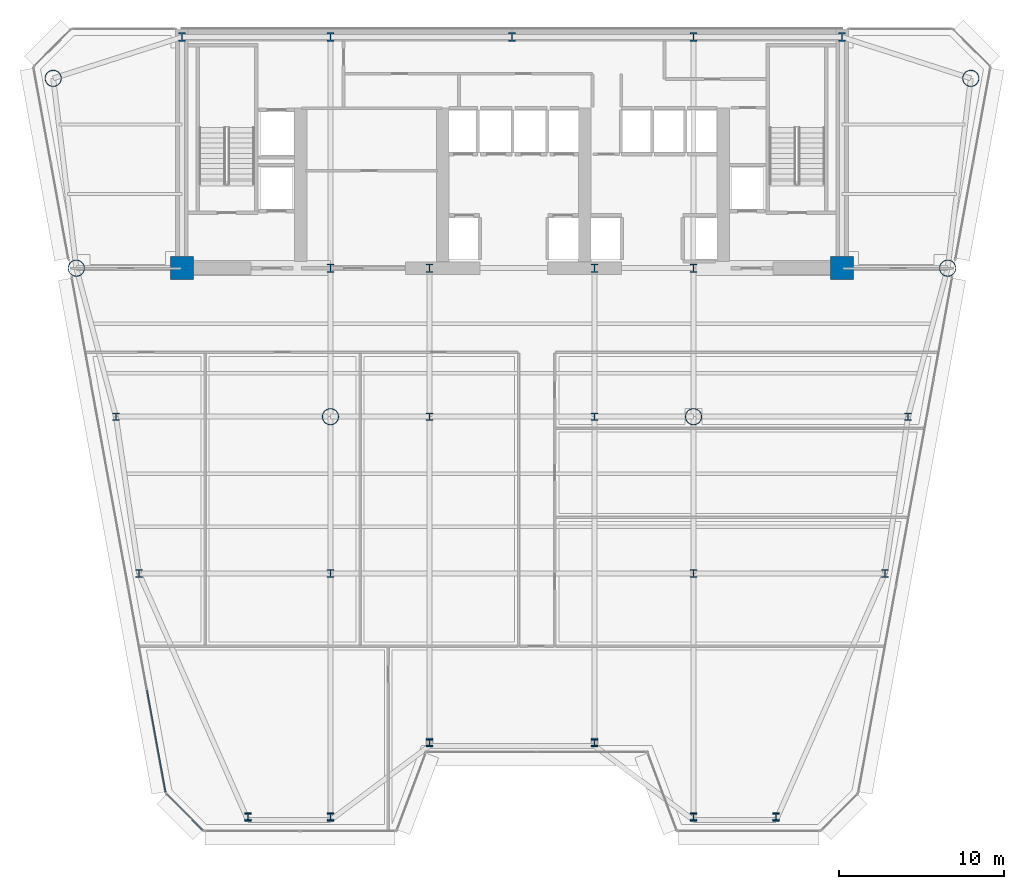
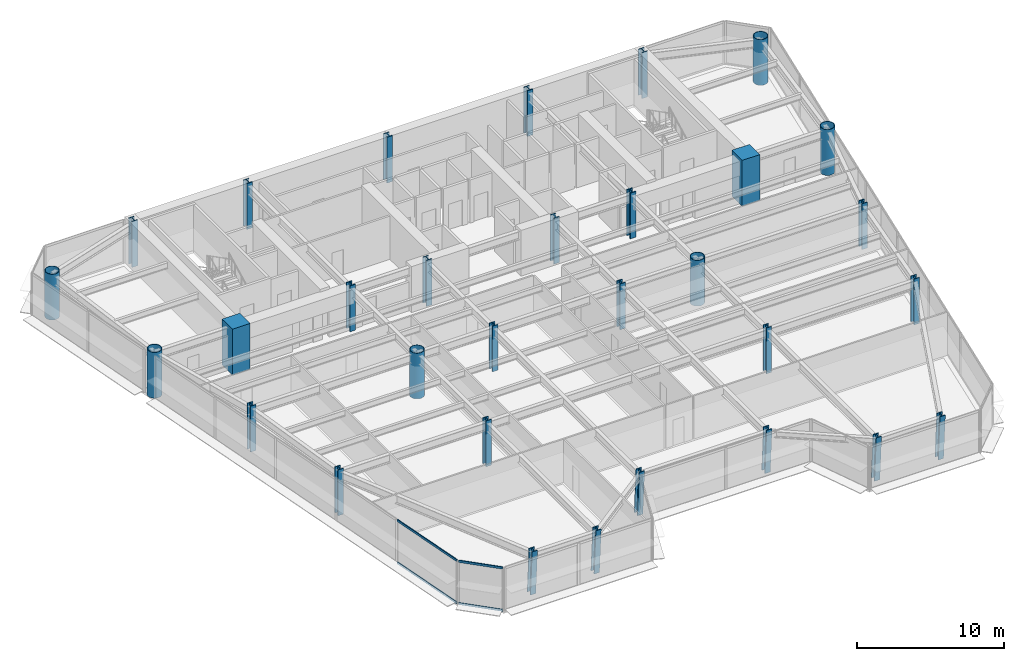
# One storey, part 1 of 14: 31 columns, 4 members, 2 elements without a shape of their own.
"""IFC4 building model written with IfcOpenShell, lengths in metres."""

from ifc_helpers import new_model, si_unit, direction, frame, origin, origin_2d, place, context, subcontext, project, spatial, rectangle, hollow_circle, i_section, extrude, source, transform, mapped, material, layer, layer_set, material_profile, profile_set, type_object, element, aggregate, save


model = new_model("IFC4")

# Units and contexts
model_context = context("Model", 3, precision=1e-05, world=origin(), true_north=direction((0.0, 1.0)))
body_context = subcontext(model_context, "Body", "Model", "MODEL_VIEW")
ifc_project = project(units=[si_unit("LENGTHUNIT", "METRE"), si_unit("AREAUNIT", "SQUARE_METRE"), si_unit("VOLUMEUNIT", "CUBIC_METRE"), si_unit("PLANEANGLEUNIT", "RADIAN"), si_unit("MASSUNIT", "GRAM", prefix="KILO")], contexts=[model_context])

# Site, building, storey
site_placement = place(None, origin())
site = spatial("IfcSite", under=ifc_project, at=site_placement, CompositionType="ELEMENT")
building_placement = place(site_placement, origin())
building = spatial("IfcBuilding", under=site, at=building_placement, Name="Vaeldorn Concourse Tower", CompositionType="ELEMENT")
storey_placement = place(building_placement, frame((0.0, 0.0, 107.199951171875)))
storey = spatial("IfcBuildingStorey", under=building, at=storey_placement, Name="L27", CompositionType="ELEMENT", Elevation=107.199951171875)

# Columns
ifc_material_1 = material(Name="Concrete C60/75", Category="concrete")
ifc_material_profile_1 = material_profile(ifc_material_1, rectangle(XDim=1.39990234375, YDim=1.39990234375, at=origin_2d()), Name="RC 1400x1400")
ifc_profile_set_1 = profile_set([ifc_material_profile_1], Name="Concrete C60/75")
column_type_1 = type_object("IfcColumnType", Name="COL-RC1400", PredefinedType="COLUMN", material=ifc_profile_set_1)
shared_shape_1 = source(origin(), body_context, "Body", "SweptSolid", [
    extrude(rectangle(XDim=1.39990234375, YDim=1.39990234375, at=origin_2d()), origin(), (0.0, 0.0, 1.0), 3.800048828125),
])
for number, where, z_axis, x_axis, name in (
    (1, (14.0, 36.5, 0.0), (0.0, 0.0, 1.0), (1.0, 0.0, 0.0), "Column C-FC1 L27"),
    (2, (54.0, 36.5, 0.0), (0.0, 0.0, 1.0), (1.0, 0.0, 0.0), "Column C-FC6 L27"),
):
    element("IfcColumn", number, at=place(storey_placement, frame(where, z_axis=z_axis, x_axis=x_axis)), inside=storey, type_object=column_type_1, Name=name, PredefinedType="COLUMN", context=body_context, shape_type="MappedRepresentation", body=[
        mapped(shared_shape_1, transform((0.0, 0.0, 0.0), scale=1.0)),
    ])
ifc_material_2 = material(Name="Steel S460", Category="steel")
ifc_material_profile_2 = material_profile(ifc_material_2, i_section(OverallWidth=0.44189453125, OverallDepth=0.531005859375, WebThickness=0.06494140625, FlangeThickness=0.075927734375, FilletRadius=0.014892578125, at=origin_2d()), Name="HD 400x900")
ifc_profile_set_2 = profile_set([ifc_material_profile_2], Name="Steel S460")
column_type_2 = type_object("IfcColumnType", Name="COL-HD900", PredefinedType="COLUMN", material=ifc_profile_set_2)
shared_shape_2 = source(origin(), body_context, "Body", "SweptSolid", [
    extrude(i_section(OverallWidth=0.44189453125, OverallDepth=0.531005859375, WebThickness=0.06494140625, FlangeThickness=0.075927734375, FilletRadius=0.014892578125, at=origin_2d()), origin(), (0.0, 0.0, 1.0), 3.800048828125),
])
for number, where, z_axis, x_axis, name in (
    (3, (23.0, 36.5, 0.0), (0.0, 0.0, 1.0), (1.0, 0.0, 0.0), "Column C-FC2 L27"),
    (4, (29.0, 36.5, 0.0), (0.0, 0.0, 1.0), (1.0, 0.0, 0.0), "Column C-FC3 L27"),
    (5, (39.0, 36.5, 0.0), (0.0, 0.0, 1.0), (1.0, 0.0, 0.0), "Column C-FC4 L27"),
    (6, (45.0, 36.5, 0.0), (0.0, 0.0, 1.0), (1.0, 0.0, 0.0), "Column C-FC5 L27"),
    (7, (14.0, 50.5, 0.0), (0.0, 0.0, 1.0), (1.0, 0.0, 0.0), "Column C-HC1 L27"),
    (8, (23.0, 50.5, 0.0), (0.0, 0.0, 1.0), (1.0, 0.0, 0.0), "Column C-HC2 L27"),
    (9, (34.0, 50.5, 0.0), (0.0, 0.0, 1.0), (1.0, 0.0, 0.0), "Column C-HC3 L27"),
    (10, (45.0, 50.5, 0.0), (0.0, 0.0, 1.0), (1.0, 0.0, 0.0), "Column C-HC4 L27"),
    (11, (54.0, 50.5, 0.0), (0.0, 0.0, 1.0), (1.0, 0.0, 0.0), "Column C-HC5 L27"),
):
    element("IfcColumn", number, at=place(storey_placement, frame(where, z_axis=z_axis, x_axis=x_axis)), inside=storey, type_object=column_type_2, Name=name, PredefinedType="COLUMN", context=body_context, shape_type="MappedRepresentation", body=[
        mapped(shared_shape_2, transform((0.0, 0.0, 0.0), scale=1.0)),
    ])
ifc_material_profile_3 = material_profile(ifc_material_2, hollow_circle(Radius=0.508056640625, WallThickness=0.044921875, at=origin_2d()), Name="CHS 1016x45")
ifc_profile_set_3 = profile_set([ifc_material_profile_3], Name="Steel S460")
column_type_3 = type_object("IfcColumnType", Name="COL-CHS1016", PredefinedType="COLUMN", material=ifc_profile_set_3)
shared_shape_3 = source(origin(), body_context, "Body", "SweptSolid", [
    extrude(hollow_circle(Radius=0.508056640625, WallThickness=0.044921875, at=origin_2d()), origin(), (0.0, 0.0, 1.0), 3.800048828125),
])
for number, where, z_axis, x_axis, name in (
    (12, (6.199951171875, 48.0, 0.0), (0.0, 0.0, 1.0), (1.0, 0.0, 0.0), "Column C-NW1 L27"),
    (13, (7.60009765625, 36.5, 0.0), (0.0, 0.0, 1.0), (1.0, 0.0, 0.0), "Column C-NW2 L27"),
    (14, (61.800048828125, 48.0, 0.0), (0.0, 0.0, 1.0), (1.0, 0.0, 0.0), "Column C-NE1 L27"),
    (15, (60.39990234375, 36.5, 0.0), (0.0, 0.0, 1.0), (1.0, 0.0, 0.0), "Column C-NE2 L27"),
    (16, (23.0, 27.5, 0.0), (0.0, 0.0, 1.0), (1.0, 0.0, 0.0), "Column C-TW1 L27"),
    (17, (45.0, 27.5, 0.0), (0.0, 0.0, 1.0), (1.0, 0.0, 0.0), "Column C-TW4 L27"),
):
    element("IfcColumn", number, at=place(storey_placement, frame(where, z_axis=z_axis, x_axis=x_axis)), inside=storey, type_object=column_type_3, Name=name, PredefinedType="COLUMN", context=body_context, shape_type="MappedRepresentation", body=[
        mapped(shared_shape_3, transform((0.0, 0.0, 0.0), scale=1.0)),
    ])
ifc_material_profile_4 = material_profile(ifc_material_2, i_section(OverallWidth=0.424072265625, OverallDepth=0.47412109375, WebThickness=0.047119140625, FlangeThickness=0.06494140625, FilletRadius=0.014892578125, at=origin_2d()), Name="HD 400x634")
ifc_profile_set_4 = profile_set([ifc_material_profile_4], Name="Steel S460")
column_type_4 = type_object("IfcColumnType", Name="COL-HD634F", PredefinedType="COLUMN", material=ifc_profile_set_4)
shared_shape_4 = source(origin(), body_context, "Body", "SweptSolid", [
    extrude(i_section(OverallWidth=0.424072265625, OverallDepth=0.47412109375, WebThickness=0.047119140625, FlangeThickness=0.06494140625, FilletRadius=0.014892578125, at=origin_2d()), origin(), (0.0, 0.0, 1.0), 3.800048828125),
])
for number, where, z_axis, x_axis, name in (
    (18, (10.0, 27.5, 0.0), (0.0, 0.0, 1.0), (1.0, 0.0, 0.0), "Column C-FLW1 L27"),
    (19, (11.39990234375, 18.0, 0.0), (0.0, 0.0, 1.0), (1.0, 0.0, 0.0), "Column C-FLW2 L27"),
    (20, (58.0, 27.5, 0.0), (0.0, 0.0, 1.0), (1.0, 0.0, 0.0), "Column C-FLE1 L27"),
    (21, (56.60009765625, 18.0, 0.0), (0.0, 0.0, 1.0), (1.0, 0.0, 0.0), "Column C-FLE2 L27"),
):
    element("IfcColumn", number, at=place(storey_placement, frame(where, z_axis=z_axis, x_axis=x_axis)), inside=storey, type_object=column_type_4, Name=name, PredefinedType="COLUMN", context=body_context, shape_type="MappedRepresentation", body=[
        mapped(shared_shape_4, transform((0.0, 0.0, 0.0), scale=1.0)),
    ])
ifc_material_profile_5 = material_profile(ifc_material_2, i_section(OverallWidth=0.424072265625, OverallDepth=0.47412109375, WebThickness=0.047119140625, FlangeThickness=0.06494140625, FilletRadius=0.014892578125, at=origin_2d()), Name="HD 400x634")
ifc_profile_set_5 = profile_set([ifc_material_profile_5], Name="Steel S460")
column_type_5 = type_object("IfcColumnType", Name="COL-HD634T", PredefinedType="COLUMN", material=ifc_profile_set_5)
shared_shape_5 = source(origin(), body_context, "Body", "SweptSolid", [
    extrude(i_section(OverallWidth=0.424072265625, OverallDepth=0.47412109375, WebThickness=0.047119140625, FlangeThickness=0.06494140625, FilletRadius=0.014892578125, at=origin_2d()), origin(), (0.0, 0.0, 1.0), 3.800048828125),
])
for number, where, z_axis, x_axis, name in (
    (22, (29.0, 27.5, 0.0), (0.0, 0.0, 1.0), (1.0, 0.0, 0.0), "Column C-TW2 L27"),
    (23, (39.0, 27.5, 0.0), (0.0, 0.0, 1.0), (1.0, 0.0, 0.0), "Column C-TW3 L27"),
    (24, (23.0, 18.0, 0.0), (0.0, 0.0, 1.0), (1.0, 0.0, 0.0), "Column C-TW5 L27"),
    (25, (45.0, 18.0, 0.0), (0.0, 0.0, 1.0), (1.0, 0.0, 0.0), "Column C-TW6 L27"),
):
    element("IfcColumn", number, at=place(storey_placement, frame(where, z_axis=z_axis, x_axis=x_axis)), inside=storey, type_object=column_type_5, Name=name, PredefinedType="COLUMN", context=body_context, shape_type="MappedRepresentation", body=[
        mapped(shared_shape_5, transform((0.0, 0.0, 0.0), scale=1.0)),
    ])
shared_shape_6 = source(origin(), body_context, "Body", "SweptSolid", [
    extrude(i_section(OverallWidth=0.424072265625, OverallDepth=0.47412109375, WebThickness=0.047119140625, FlangeThickness=0.06494140625, FilletRadius=0.014892578125, at=origin_2d()), origin(), (0.0, 0.0, 1.0), 3.74365234375),
])
for number, where, z_axis, x_axis, name in (
    (26, (18.0, 3.290771484375, 0.031982421875), (0.0, -0.063843869911, 0.997959899132), (1.0, 0.0, 0.0), "Column C-SF1 L27"),
    (27, (23.0, 3.290771484375, 0.031982421875), (0.0, -0.063843869911, 0.997959899132), (1.0, 0.0, 0.0), "Column C-SF2 L27"),
    (28, (29.0, 7.790771484375, 0.031982421875), (0.0, -0.063843869911, 0.997959899132), (1.0, 0.0, 0.0), "Column C-SF3 L27"),
    (29, (39.0, 7.790771484375, 0.031982421875), (0.0, -0.063843869911, 0.997959899132), (1.0, 0.0, 0.0), "Column C-SF4 L27"),
    (30, (45.0, 3.290771484375, 0.031982421875), (0.0, -0.063843869911, 0.997959899132), (1.0, 0.0, 0.0), "Column C-SF5 L27"),
    (31, (50.0, 3.290771484375, 0.031982421875), (0.0, -0.063843869911, 0.997959899132), (1.0, 0.0, 0.0), "Column C-SF6 L27"),
):
    element("IfcColumn", number, at=place(storey_placement, frame(where, z_axis=z_axis, x_axis=x_axis)), inside=storey, type_object=column_type_5, Name=name, PredefinedType="COLUMN", context=body_context, shape_type="MappedRepresentation", body=[
        mapped(shared_shape_6, transform((0.0, 0.0, 0.0), scale=1.0)),
    ])

# Curtain wall, members
ifc_material_3 = material(Name="Anodised Bronze Aluminium", Category="aluminium")
ifc_layer = layer(ifc_material_3, 0.199951171875)
ifc_layer_set = layer_set([ifc_layer], Name="Anodised Bronze Aluminium")
curtain_wall_type = type_object("IfcCurtainWallType", Name="CW-SYS-02", PredefinedType="NOTDEFINED", material=ifc_layer_set)
curtain_wall_1_placement = place(storey_placement, origin())
curtain_wall_1 = element("IfcCurtainWall", 32, at=curtain_wall_1_placement, inside=storey, type_object=curtain_wall_type, Name="Unitised Curtain Wall CW-L27-E12-1", PredefinedType="NOTDEFINED")
ifc_material_profile_6 = material_profile(ifc_material_3, rectangle(XDim=0.074951171875, YDim=0.179931640625, at=origin_2d()), Name="CWT 75x180")
ifc_profile_set_6 = profile_set([ifc_material_profile_6], Name="Anodised Bronze Aluminium")
member_type = type_object("IfcMemberType", Name="CWT-BRONZE-180", PredefinedType="USERDEFINED", material=ifc_profile_set_6)
shared_shape_7 = source(origin(), body_context, "Body", "SweptSolid", [
    extrude(rectangle(XDim=0.074951171875, YDim=0.179931640625, at=origin_2d()), origin(), (0.0, 0.0, 1.0), 3.102783203125),
])
member_1_placement = place(storey_placement, frame((13.073486328125, 4.6376953125, 0.03759765625), z_axis=(0.707146122816, -0.707067437368, 0.0), x_axis=(0.707067437368, 0.707146122816, 0.0)))
member_1 = element("IfcMember", 33, at=member_1_placement, type_object=member_type, Name="CW-02 transom 1.1", ObjectType="TRANSOM", PredefinedType="USERDEFINED", context=body_context, shape_type="MappedRepresentation", body=[
    mapped(shared_shape_7, transform((0.0, 0.0, 0.0), scale=1.0)),
])
member_2_placement = place(storey_placement, frame((13.073486328125, 4.6376953125, 3.54248046875), z_axis=(0.707146122816, -0.707067437368, 0.0), x_axis=(0.707067437368, 0.707146122816, 0.0)))
member_2 = element("IfcMember", 34, at=member_2_placement, type_object=member_type, Name="CW-02 transom 1.2", ObjectType="TRANSOM", PredefinedType="USERDEFINED", context=body_context, shape_type="MappedRepresentation", body=[
    mapped(shared_shape_7, transform((0.0, 0.0, 0.0), scale=1.0)),
])
aggregate(curtain_wall_1, [member_1, member_2])

curtain_wall_2_placement = place(storey_placement, origin())
curtain_wall_2 = element("IfcCurtainWall", 35, at=curtain_wall_2_placement, inside=storey, type_object=curtain_wall_type, Name="Unitised Curtain Wall CW-L27-E11-2", PredefinedType="NOTDEFINED")
shared_shape_8 = source(origin(), body_context, "Body", "SweptSolid", [
    extrude(rectangle(XDim=0.074951171875, YDim=0.179931640625, at=origin_2d()), origin(), (0.0, 0.0, 1.0), 6.248779296875),
])
member_3_placement = place(storey_placement, frame((11.88671875, 10.912109375, 0.03759765625), z_axis=(0.17929456911, -0.983795434777, 0.0), x_axis=(0.983795434777, 0.17929456911, 0.0)))
member_3 = element("IfcMember", 36, at=member_3_placement, type_object=member_type, Name="CW-02 transom 5.1", ObjectType="TRANSOM", PredefinedType="USERDEFINED", context=body_context, shape_type="MappedRepresentation", body=[
    mapped(shared_shape_8, transform((0.0, 0.0, 0.0), scale=1.0)),
])
member_4_placement = place(storey_placement, frame((11.88671875, 10.912109375, 3.54248046875), z_axis=(0.17929456911, -0.983795434777, 0.0), x_axis=(0.983795434777, 0.17929456911, 0.0)))
member_4 = element("IfcMember", 37, at=member_4_placement, type_object=member_type, Name="CW-02 transom 5.2", ObjectType="TRANSOM", PredefinedType="USERDEFINED", context=body_context, shape_type="MappedRepresentation", body=[
    mapped(shared_shape_8, transform((0.0, 0.0, 0.0), scale=1.0)),
])
aggregate(curtain_wall_2, [member_3, member_4])

save(model, "model.ifc")
